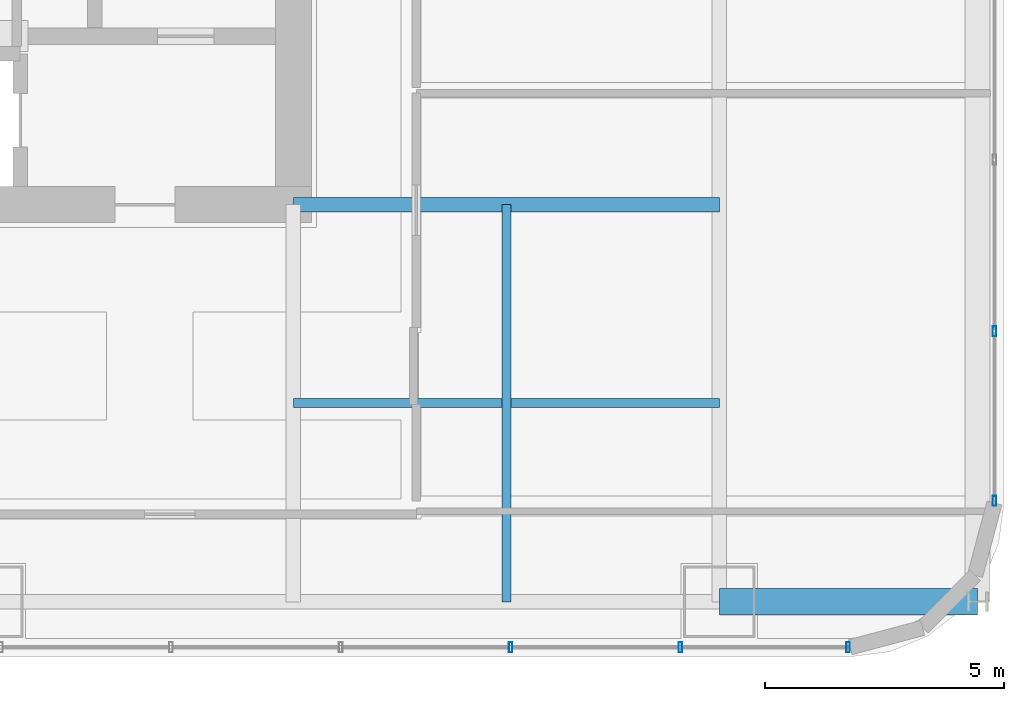
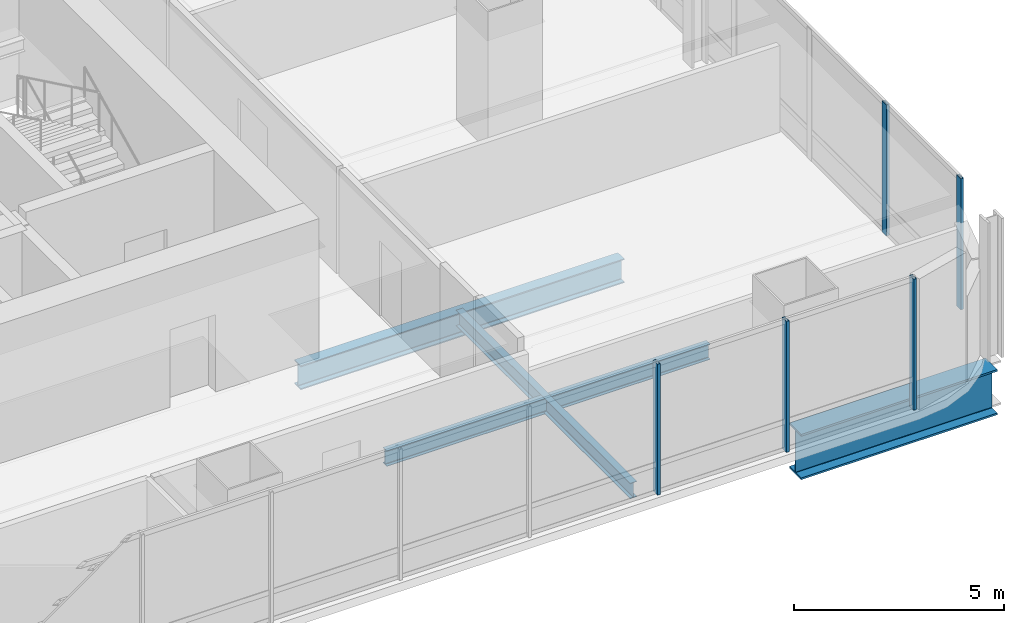
# One storey, part 13 of 35: 5 members, 4 beams, 2 elements without a shape of their own.
"""IFC4 building model written with IfcOpenShell, lengths in metres."""

from ifc_helpers import new_model, si_unit, direction, frame, origin, origin_2d, place, context, subcontext, project, spatial, hollow_rectangle, i_section, extrude, material, material_profile, profile_set, type_object, element, aggregate, save


model = new_model("IFC4")

# Units and contexts
model_context = context("Model", 3, precision=1e-05, world=origin(), true_north=direction((0.0, 1.0)))
body_context = subcontext(model_context, "Body", "Model", "MODEL_VIEW")
ifc_project = project(units=[si_unit("LENGTHUNIT", "METRE"), si_unit("AREAUNIT", "SQUARE_METRE"), si_unit("VOLUMEUNIT", "CUBIC_METRE"), si_unit("PLANEANGLEUNIT", "RADIAN"), si_unit("MASSUNIT", "GRAM", prefix="KILO")], contexts=[model_context])

# Site, building, storey
site_placement = place(None, origin())
site = spatial("IfcSite", under=ifc_project, at=site_placement, CompositionType="ELEMENT")
building_placement = place(site_placement, origin())
building = spatial("IfcBuilding", under=site, at=building_placement, Name="Punatoya Terracotta Tower", CompositionType="ELEMENT")
storey_placement = place(building_placement, frame((0.0, 0.0, 113.25)))
storey = spatial("IfcBuildingStorey", under=building, at=storey_placement, Name="L26", CompositionType="ELEMENT", Elevation=113.25)

# Beams
ifc_material_1 = material(Name="Steel S355", Category="steel")
ifc_material_profile_1 = material_profile(ifc_material_1, i_section(OverallWidth=0.300048828125, OverallDepth=0.699951171875, WebThickness=0.01708984375, FlangeThickness=0.031982421875, FilletRadius=0.01806640625, at=origin_2d()))
ifc_profile_set_1 = profile_set([ifc_material_profile_1], Name="Steel S355")
beam_type_1 = type_object("IfcBeamType", Name="BM-PRI-700", PredefinedType="BEAM", material=ifc_profile_set_1)
beam_1_placement = place(storey_placement, frame((10.199951171875, -9.199951171875, -0.590087890625), z_axis=(1.0, 0.0, 0.0), x_axis=(0.0, 1.0, 0.0)))
element("IfcBeam", 1, at=beam_1_placement, inside=storey, type_object=beam_type_1, Name="BM-L26-PR-ES", PredefinedType="BEAM", context=body_context, shape_type="SweptSolid", body=[
    extrude(i_section(OverallWidth=0.300048828125, OverallDepth=0.699951171875, WebThickness=0.01708984375, FlangeThickness=0.031982421875, FilletRadius=0.01806640625, at=origin_2d()), origin(), (0.0, 0.0, 1.0), 8.900146484375),
])
ifc_material_profile_2 = material_profile(ifc_material_1, i_section(OverallWidth=0.18994140625, OverallDepth=0.449951171875, WebThickness=0.009521484375, FlangeThickness=0.0146484375, FilletRadius=0.01806640625, at=origin_2d()))
ifc_profile_set_2 = profile_set([ifc_material_profile_2], Name="Steel S355")
beam_type_2 = type_object("IfcBeamType", Name="BM-SEC-450", PredefinedType="JOIST", material=ifc_profile_set_2)
beam_2_placement = place(storey_placement, frame((10.199951171875, -13.35009765625, -0.465087890625), z_axis=(1.0, 0.0, 0.0), x_axis=(0.0, 1.0, 0.0)))
element("IfcBeam", 2, at=beam_2_placement, inside=storey, type_object=beam_type_2, Name="BM-L26-SJS-2", PredefinedType="JOIST", context=body_context, shape_type="SweptSolid", body=[
    extrude(i_section(OverallWidth=0.18994140625, OverallDepth=0.449951171875, WebThickness=0.009521484375, FlangeThickness=0.0146484375, FilletRadius=0.01806640625, at=origin_2d()), origin(), (0.0, 0.0, 1.0), 8.900146484375),
])
beam_3_placement = place(storey_placement, frame((14.64990234375, -17.5, -0.465087890625), z_axis=(0.0, 1.0, 0.0), x_axis=(-1.0, 0.0, 0.0)))
element("IfcBeam", 3, at=beam_3_placement, inside=storey, type_object=beam_type_2, Name="BM-L26-SJE-1", PredefinedType="JOIST", context=body_context, shape_type="SweptSolid", body=[
    extrude(i_section(OverallWidth=0.18994140625, OverallDepth=0.449951171875, WebThickness=0.009521484375, FlangeThickness=0.0146484375, FilletRadius=0.01806640625, at=origin_2d()), origin(), (0.0, 0.0, 1.0), 8.300048828125),
])
ifc_material_2 = material(Name="Steel S460", Category="steel")
ifc_material_profile_3 = material_profile(ifc_material_2, i_section(OverallWidth=0.56005859375, OverallDepth=1.320068359375, WebThickness=0.035888671875, FlangeThickness=0.054931640625, FilletRadius=0.01806640625, at=origin_2d()))
ifc_profile_set_3 = profile_set([ifc_material_profile_3], Name="Steel S460")
beam_type_3 = type_object("IfcBeamType", Name="BM-TG-BLK", PredefinedType="BEAM", material=ifc_profile_set_3)
beam_4_placement = place(storey_placement, frame((19.10009765625, -17.5, -0.89990234375), z_axis=(1.0, 0.0, 0.0), x_axis=(0.0, 1.0, 0.0)))
element("IfcBeam", 4, at=beam_4_placement, inside=storey, type_object=beam_type_3, Name="BM-L26-CANT-E1", PredefinedType="BEAM", context=body_context, shape_type="SweptSolid", body=[
    extrude(i_section(OverallWidth=0.56005859375, OverallDepth=1.320068359375, WebThickness=0.035888671875, FlangeThickness=0.054931640625, FilletRadius=0.01806640625, at=origin_2d()), origin(), (0.0, 0.0, 1.0), 5.39990234375),
])

# Curtain wall, members
ifc_material_3 = material(Name="Aluminium 6063-T6 + Double Low-E Glass", Category="aluminium")
curtain_wall_type = type_object("IfcCurtainWallType", Name="CW-M1", PredefinedType="NOTDEFINED", material=ifc_material_3)
curtain_wall_1_placement = place(storey_placement, origin())
curtain_wall_1 = element("IfcCurtainWall", 5, at=curtain_wall_1_placement, inside=storey, type_object=curtain_wall_type, Name="L26 Curtain Wall CW-L26-S01-1", PredefinedType="NOTDEFINED")
ifc_material_4 = material(Name="Aluminium 6063-T6", Category="aluminium")
ifc_material_profile_4 = material_profile(ifc_material_4, hollow_rectangle(XDim=0.074951171875, YDim=0.2099609375, WallThickness=0.00439453125, at=origin_2d()))
ifc_profile_set_4 = profile_set([ifc_material_profile_4], Name="Aluminium 6063-T6")
member_type = type_object("IfcMemberType", Name="CW-MUL-M1", PredefinedType="MULLION", material=ifc_profile_set_4)
member_1_placement = place(storey_placement, frame((14.739501953125, -18.449951171875, 0.0), z_axis=(0.0, 0.0, 1.0), x_axis=(1.0, 0.0, 0.0)))
member_1 = element("IfcMember", 6, at=member_1_placement, type_object=member_type, Name="CW-L26-S01-1 Mullion 08", PredefinedType="MULLION", context=body_context, shape_type="SweptSolid", body=[
    extrude(hollow_rectangle(XDim=0.074951171875, YDim=0.2099609375, WallThickness=0.00439453125, at=origin_2d()), origin(), (0.0, 0.0, 1.0), 3.81005859375),
])
member_2_placement = place(storey_placement, frame((18.2880859375, -18.449951171875, 0.0), z_axis=(0.0, 0.0, 1.0), x_axis=(1.0, 0.0, 0.0)))
member_2 = element("IfcMember", 7, at=member_2_placement, type_object=member_type, Name="CW-L26-S01-1 Mullion 09", PredefinedType="MULLION", context=body_context, shape_type="SweptSolid", body=[
    extrude(hollow_rectangle(XDim=0.074951171875, YDim=0.2099609375, WallThickness=0.00439453125, at=origin_2d()), origin(), (0.0, 0.0, 1.0), 3.81005859375),
])
member_3_placement = place(storey_placement, frame((21.7919921875, -18.449951171875, 0.0), z_axis=(0.0, 0.0, 1.0), x_axis=(1.0, 0.0, 0.0)))
member_3 = element("IfcMember", 8, at=member_3_placement, type_object=member_type, Name="CW-L26-S01-1 Mullion 10", PredefinedType="MULLION", context=body_context, shape_type="SweptSolid", body=[
    extrude(hollow_rectangle(XDim=0.074951171875, YDim=0.2099609375, WallThickness=0.00439453125, at=origin_2d()), origin(), (0.0, 0.0, 1.0), 3.81005859375),
])
aggregate(curtain_wall_1, [member_1, member_2, member_3])

curtain_wall_2_placement = place(storey_placement, origin())
curtain_wall_2 = element("IfcCurtainWall", 9, at=curtain_wall_2_placement, inside=storey, type_object=curtain_wall_type, Name="L26 Curtain Wall CW-L26-E05-1", PredefinedType="NOTDEFINED")
member_4_placement = place(storey_placement, frame((24.85009765625, -15.391845703125, 0.0), z_axis=(0.0, 0.0, 1.0), x_axis=(1.0, 0.0, 0.0)))
member_4 = element("IfcMember", 10, at=member_4_placement, type_object=member_type, Name="CW-L26-E05-1 Mullion 00", PredefinedType="MULLION", context=body_context, shape_type="SweptSolid", body=[
    extrude(hollow_rectangle(XDim=0.074951171875, YDim=0.2099609375, WallThickness=0.00439453125, at=origin_2d()), origin(), (0.0, 0.0, 1.0), 3.81005859375),
])
member_5_placement = place(storey_placement, frame((24.85009765625, -11.849609375, 0.0), z_axis=(0.0, 0.0, 1.0), x_axis=(1.0, 0.0, 0.0)))
member_5 = element("IfcMember", 11, at=member_5_placement, type_object=member_type, Name="CW-L26-E05-1 Mullion 01", PredefinedType="MULLION", context=body_context, shape_type="SweptSolid", body=[
    extrude(hollow_rectangle(XDim=0.074951171875, YDim=0.2099609375, WallThickness=0.00439453125, at=origin_2d()), origin(), (0.0, 0.0, 1.0), 3.81005859375),
])
aggregate(curtain_wall_2, [member_4, member_5])

save(model, "model.ifc")
